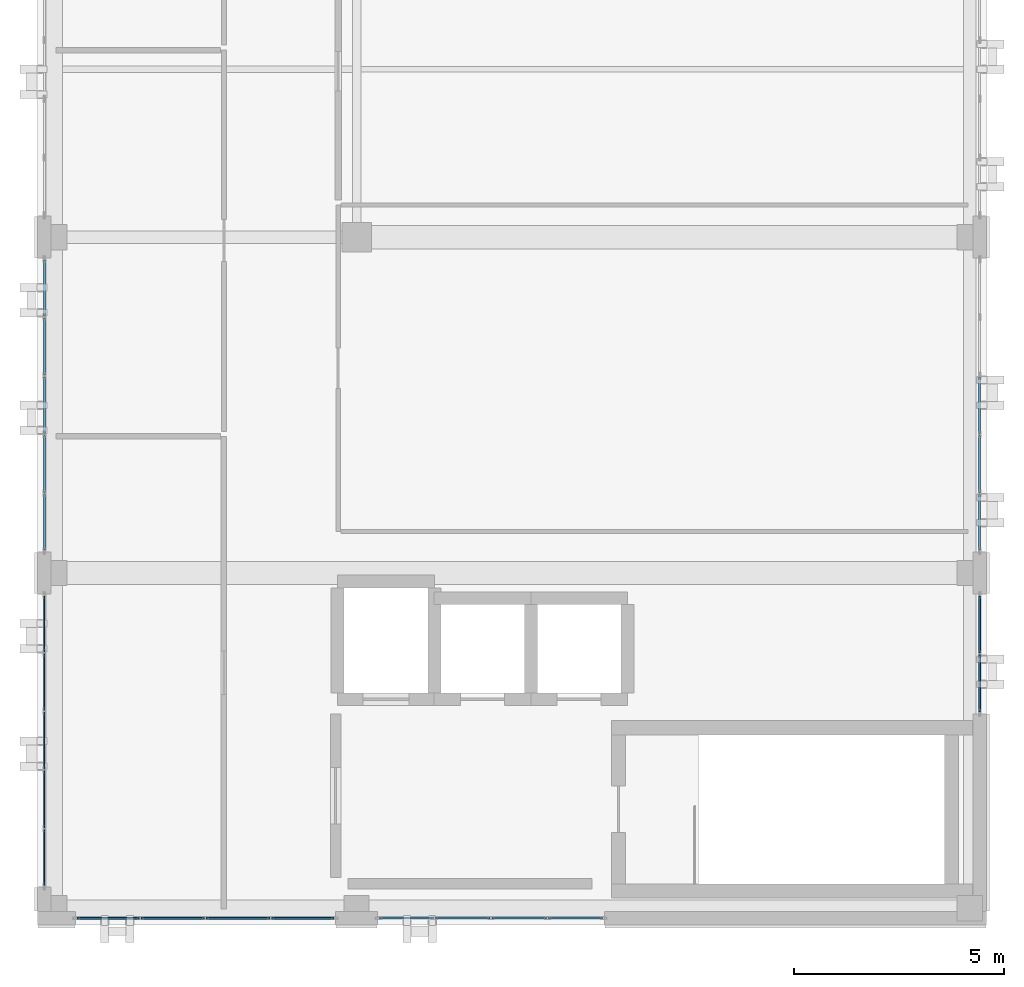
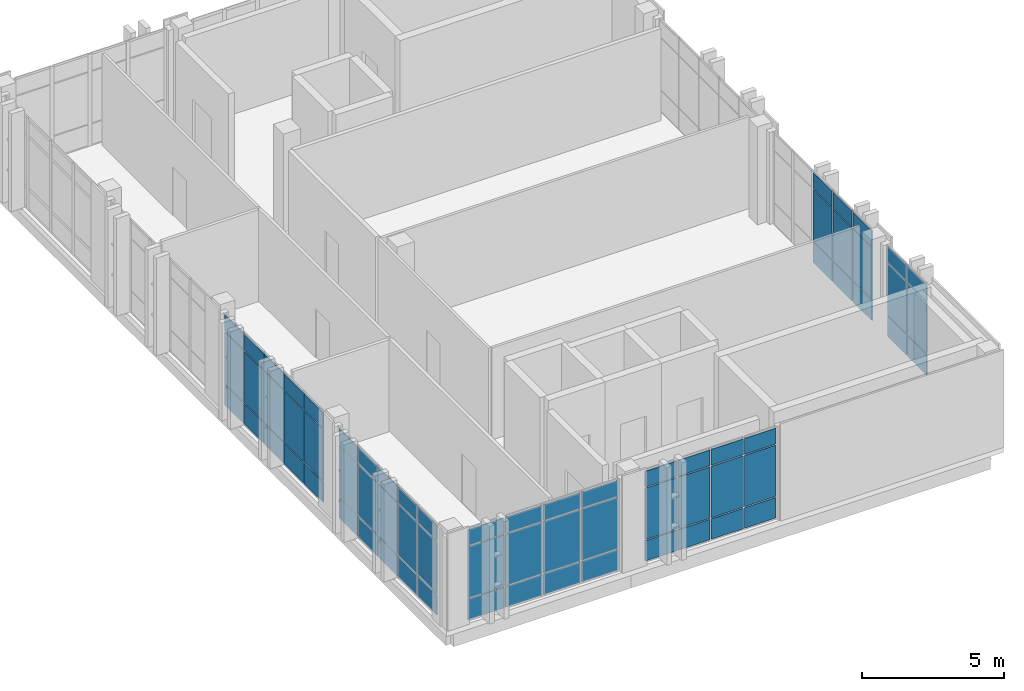
# One storey, part 15 of 19: 69 plates, 6 elements without a shape of their own.
"""IFC4 building model written with IfcOpenShell, lengths in metres."""

from ifc_helpers import new_model, si_unit, direction, frame, origin, origin_2d, place, context, subcontext, project, spatial, rectangle, extrude, material, layer, layer_set, type_object, element, aggregate, save


model = new_model("IFC4")

# Units and contexts
model_context = context("Model", 3, precision=1e-05, world=origin(), true_north=direction((0.0, 1.0)))
body_context = subcontext(model_context, "Body", "Model", "MODEL_VIEW")
ifc_project = project(units=[si_unit("LENGTHUNIT", "METRE"), si_unit("AREAUNIT", "SQUARE_METRE"), si_unit("VOLUMEUNIT", "CUBIC_METRE"), si_unit("PLANEANGLEUNIT", "RADIAN"), si_unit("MASSUNIT", "GRAM", prefix="KILO")], contexts=[model_context])

# Site, building, storey
site_placement = place(None, origin())
site = spatial("IfcSite", under=ifc_project, at=site_placement, CompositionType="ELEMENT")
building_placement = place(site_placement, origin())
building = spatial("IfcBuilding", under=site, at=building_placement, Name="Qalavern Law Courts", CompositionType="ELEMENT")
storey_placement = place(building_placement, frame((0.0, 0.0, 39.60009765625)))
storey = spatial("IfcBuildingStorey", under=building, at=storey_placement, Name="L09", CompositionType="ELEMENT", Elevation=39.60009765625)

# Curtain wall, plates
ifc_material_1 = material(Name="Anodised aluminium and insulated glazing", Category="aluminium")
ifc_layer_1 = layer(ifc_material_1, 0.159912109375)
ifc_layer_set_1 = layer_set([ifc_layer_1], Name="Anodised aluminium and insulated glazing")
curtain_wall_type = type_object("IfcCurtainWallType", Name="ENV-CW-CHAMB", PredefinedType="USERDEFINED", material=ifc_layer_set_1)
curtain_wall_1_placement = place(storey_placement, origin())
curtain_wall_1 = element("IfcCurtainWall", 1, at=curtain_wall_1_placement, inside=storey, type_object=curtain_wall_type, Name="V4 unitised curtain wall L09 west 4", ObjectType="UNITISED CURTAIN WALL", PredefinedType="USERDEFINED")
ifc_material_2 = material(Name="Insulated low-E acoustic glazing", Category="glass")
ifc_layer_2 = layer(ifc_material_2, 0.02392578125)
ifc_layer_set_2 = layer_set([ifc_layer_2], Name="Insulated low-E acoustic glazing")
plate_type_1 = type_object("IfcPlateType", Name="ENV-CWP-24", PredefinedType="CURTAIN_PANEL", material=ifc_layer_set_2)
plate_1_placement = place(storey_placement, frame((84.362548828125, 48.18994140625, 0.0478515625), z_axis=(0.0, 0.0, 1.0), x_axis=(0.0, -1.0, 0.0)))
plate_1 = element("IfcPlate", 2, at=plate_1_placement, type_object=plate_type_1, Name="CW-04 panel 1.1", PredefinedType="CURTAIN_PANEL", context=body_context, shape_type="SweptSolid", body=[
    extrude(rectangle(XDim=1.323974609375, YDim=0.02392578125, at=origin_2d()), origin(), (0.0, 0.0, 1.0), 0.8779296875),
])
plate_2_placement = place(storey_placement, frame((84.362548828125, 48.18994140625, 0.97412109375), z_axis=(0.0, 0.0, 1.0), x_axis=(0.0, -1.0, 0.0)))
plate_2 = element("IfcPlate", 3, at=plate_2_placement, type_object=plate_type_1, Name="CW-04 panel 1.2", PredefinedType="CURTAIN_PANEL", context=body_context, shape_type="SweptSolid", body=[
    extrude(rectangle(XDim=1.323974609375, YDim=0.02392578125, at=origin_2d()), origin(), (0.0, 0.0, 1.0), 2.201904296875),
])
plate_3_placement = place(storey_placement, frame((84.362548828125, 48.18994140625, 3.22412109375), z_axis=(0.0, 0.0, 1.0), x_axis=(0.0, -1.0, 0.0)))
plate_3 = element("IfcPlate", 4, at=plate_3_placement, type_object=plate_type_1, Name="CW-04 panel 1.3", PredefinedType="CURTAIN_PANEL", context=body_context, shape_type="SweptSolid", body=[
    extrude(rectangle(XDim=1.323974609375, YDim=0.02392578125, at=origin_2d()), origin(), (0.0, 0.0, 1.0), 0.677978515625),
])
plate_4_placement = place(storey_placement, frame((84.362548828125, 46.805908203125, 0.0478515625), z_axis=(0.0, 0.0, 1.0), x_axis=(0.0, -1.0, 0.0)))
plate_4 = element("IfcPlate", 5, at=plate_4_placement, type_object=plate_type_1, Name="CW-04 panel 2.1", PredefinedType="CURTAIN_PANEL", context=body_context, shape_type="SweptSolid", body=[
    extrude(rectangle(XDim=1.347900390625, YDim=0.02392578125, at=origin_2d()), origin(), (0.0, 0.0, 1.0), 0.8779296875),
])
plate_5_placement = place(storey_placement, frame((84.362548828125, 46.805908203125, 0.97412109375), z_axis=(0.0, 0.0, 1.0), x_axis=(0.0, -1.0, 0.0)))
plate_5 = element("IfcPlate", 6, at=plate_5_placement, type_object=plate_type_1, Name="CW-04 panel 2.2", PredefinedType="CURTAIN_PANEL", context=body_context, shape_type="SweptSolid", body=[
    extrude(rectangle(XDim=1.347900390625, YDim=0.02392578125, at=origin_2d()), origin(), (0.0, 0.0, 1.0), 2.201904296875),
])
plate_6_placement = place(storey_placement, frame((84.362548828125, 46.805908203125, 3.22412109375), z_axis=(0.0, 0.0, 1.0), x_axis=(0.0, -1.0, 0.0)))
plate_6 = element("IfcPlate", 7, at=plate_6_placement, type_object=plate_type_1, Name="CW-04 panel 2.3", PredefinedType="CURTAIN_PANEL", context=body_context, shape_type="SweptSolid", body=[
    extrude(rectangle(XDim=1.347900390625, YDim=0.02392578125, at=origin_2d()), origin(), (0.0, 0.0, 1.0), 0.677978515625),
])
plate_7_placement = place(storey_placement, frame((84.362548828125, 45.409912109375, 0.0478515625), z_axis=(0.0, 0.0, 1.0), x_axis=(0.0, -1.0, 0.0)))
plate_7 = element("IfcPlate", 8, at=plate_7_placement, type_object=plate_type_1, Name="CW-04 panel 3.1", PredefinedType="CURTAIN_PANEL", context=body_context, shape_type="SweptSolid", body=[
    extrude(rectangle(XDim=1.347900390625, YDim=0.02392578125, at=origin_2d()), origin(), (0.0, 0.0, 1.0), 0.8779296875),
])
plate_8_placement = place(storey_placement, frame((84.362548828125, 45.409912109375, 0.97412109375), z_axis=(0.0, 0.0, 1.0), x_axis=(0.0, -1.0, 0.0)))
plate_8 = element("IfcPlate", 9, at=plate_8_placement, type_object=plate_type_1, Name="CW-04 panel 3.2", PredefinedType="CURTAIN_PANEL", context=body_context, shape_type="SweptSolid", body=[
    extrude(rectangle(XDim=1.347900390625, YDim=0.02392578125, at=origin_2d()), origin(), (0.0, 0.0, 1.0), 2.201904296875),
])
plate_9_placement = place(storey_placement, frame((84.362548828125, 45.409912109375, 3.22412109375), z_axis=(0.0, 0.0, 1.0), x_axis=(0.0, -1.0, 0.0)))
plate_9 = element("IfcPlate", 10, at=plate_9_placement, type_object=plate_type_1, Name="CW-04 panel 3.3", PredefinedType="CURTAIN_PANEL", context=body_context, shape_type="SweptSolid", body=[
    extrude(rectangle(XDim=1.347900390625, YDim=0.02392578125, at=origin_2d()), origin(), (0.0, 0.0, 1.0), 0.677978515625),
])
plate_10_placement = place(storey_placement, frame((84.362548828125, 44.013916015625, 0.0478515625), z_axis=(0.0, 0.0, 1.0), x_axis=(0.0, -1.0, 0.0)))
plate_10 = element("IfcPlate", 11, at=plate_10_placement, type_object=plate_type_1, Name="CW-04 panel 4.1", PredefinedType="CURTAIN_PANEL", context=body_context, shape_type="SweptSolid", body=[
    extrude(rectangle(XDim=1.347900390625, YDim=0.02392578125, at=origin_2d()), origin(), (0.0, 0.0, 1.0), 0.8779296875),
])
plate_11_placement = place(storey_placement, frame((84.362548828125, 44.013916015625, 0.97412109375), z_axis=(0.0, 0.0, 1.0), x_axis=(0.0, -1.0, 0.0)))
plate_11 = element("IfcPlate", 12, at=plate_11_placement, type_object=plate_type_1, Name="CW-04 panel 4.2", PredefinedType="CURTAIN_PANEL", context=body_context, shape_type="SweptSolid", body=[
    extrude(rectangle(XDim=1.347900390625, YDim=0.02392578125, at=origin_2d()), origin(), (0.0, 0.0, 1.0), 2.201904296875),
])
plate_12_placement = place(storey_placement, frame((84.362548828125, 44.013916015625, 3.22412109375), z_axis=(0.0, 0.0, 1.0), x_axis=(0.0, -1.0, 0.0)))
plate_12 = element("IfcPlate", 13, at=plate_12_placement, type_object=plate_type_1, Name="CW-04 panel 4.3", PredefinedType="CURTAIN_PANEL", context=body_context, shape_type="SweptSolid", body=[
    extrude(rectangle(XDim=1.347900390625, YDim=0.02392578125, at=origin_2d()), origin(), (0.0, 0.0, 1.0), 0.677978515625),
])
plate_13_placement = place(storey_placement, frame((84.362548828125, 42.6298828125, 0.0478515625), z_axis=(0.0, 0.0, 1.0), x_axis=(0.0, -1.0, 0.0)))
plate_13 = element("IfcPlate", 14, at=plate_13_placement, type_object=plate_type_1, Name="CW-04 panel 5.1", PredefinedType="CURTAIN_PANEL", context=body_context, shape_type="SweptSolid", body=[
    extrude(rectangle(XDim=1.323974609375, YDim=0.02392578125, at=origin_2d()), origin(), (0.0, 0.0, 1.0), 0.8779296875),
])
plate_14_placement = place(storey_placement, frame((84.362548828125, 42.6298828125, 0.97412109375), z_axis=(0.0, 0.0, 1.0), x_axis=(0.0, -1.0, 0.0)))
plate_14 = element("IfcPlate", 15, at=plate_14_placement, type_object=plate_type_1, Name="CW-04 panel 5.2", PredefinedType="CURTAIN_PANEL", context=body_context, shape_type="SweptSolid", body=[
    extrude(rectangle(XDim=1.323974609375, YDim=0.02392578125, at=origin_2d()), origin(), (0.0, 0.0, 1.0), 2.201904296875),
])
plate_15_placement = place(storey_placement, frame((84.362548828125, 42.6298828125, 3.22412109375), z_axis=(0.0, 0.0, 1.0), x_axis=(0.0, -1.0, 0.0)))
plate_15 = element("IfcPlate", 16, at=plate_15_placement, type_object=plate_type_1, Name="CW-04 panel 5.3", PredefinedType="CURTAIN_PANEL", context=body_context, shape_type="SweptSolid", body=[
    extrude(rectangle(XDim=1.323974609375, YDim=0.02392578125, at=origin_2d()), origin(), (0.0, 0.0, 1.0), 0.677978515625),
])
aggregate(curtain_wall_1, [plate_1, plate_2, plate_3, plate_4, plate_5, plate_6, plate_7, plate_8, plate_9, plate_10, plate_11, plate_12, plate_13, plate_14, plate_15])

curtain_wall_2_placement = place(storey_placement, origin())
curtain_wall_2 = element("IfcCurtainWall", 17, at=curtain_wall_2_placement, inside=storey, type_object=curtain_wall_type, Name="V4 unitised curtain wall L09 south 1", ObjectType="UNITISED CURTAIN WALL", PredefinedType="USERDEFINED")
ifc_layer_3 = layer(ifc_material_2, 0.0439453125)
ifc_layer_set_3 = layer_set([ifc_layer_3], Name="Insulated low-E acoustic glazing")
plate_type_2 = type_object("IfcPlateType", Name="ENV-CWP-44", PredefinedType="CURTAIN_PANEL", material=ifc_layer_set_3)
plate_16_placement = place(storey_placement, frame((85.886962890625, 41.1826171875, 0.0478515625), z_axis=(0.0, 0.0, 1.0), x_axis=(1.0, 0.0, 0.0)))
plate_16 = element("IfcPlate", 18, at=plate_16_placement, type_object=plate_type_2, Name="CW-04 panel 1.1", PredefinedType="CURTAIN_PANEL", context=body_context, shape_type="SweptSolid", body=[
    extrude(rectangle(XDim=1.47802734375, YDim=0.0439453125, at=origin_2d()), origin(), (0.0, 0.0, 1.0), 0.8779296875),
])
plate_17_placement = place(storey_placement, frame((85.886962890625, 41.1826171875, 0.97412109375), z_axis=(0.0, 0.0, 1.0), x_axis=(1.0, 0.0, 0.0)))
plate_17 = element("IfcPlate", 19, at=plate_17_placement, type_object=plate_type_2, Name="CW-04 panel 1.2", PredefinedType="CURTAIN_PANEL", context=body_context, shape_type="SweptSolid", body=[
    extrude(rectangle(XDim=1.47802734375, YDim=0.0439453125, at=origin_2d()), origin(), (0.0, 0.0, 1.0), 2.201904296875),
])
plate_18_placement = place(storey_placement, frame((85.886962890625, 41.1826171875, 3.22412109375), z_axis=(0.0, 0.0, 1.0), x_axis=(1.0, 0.0, 0.0)))
plate_18 = element("IfcPlate", 20, at=plate_18_placement, type_object=plate_type_2, Name="CW-04 panel 1.3", PredefinedType="CURTAIN_PANEL", context=body_context, shape_type="SweptSolid", body=[
    extrude(rectangle(XDim=1.47802734375, YDim=0.0439453125, at=origin_2d()), origin(), (0.0, 0.0, 1.0), 0.677978515625),
])
plate_19_placement = place(storey_placement, frame((87.425048828125, 41.1826171875, 0.0478515625), z_axis=(0.0, 0.0, 1.0), x_axis=(1.0, 0.0, 0.0)))
plate_19 = element("IfcPlate", 21, at=plate_19_placement, type_object=plate_type_2, Name="CW-04 panel 2.1", PredefinedType="CURTAIN_PANEL", context=body_context, shape_type="SweptSolid", body=[
    extrude(rectangle(XDim=1.501953125, YDim=0.0439453125, at=origin_2d()), origin(), (0.0, 0.0, 1.0), 0.8779296875),
])
plate_20_placement = place(storey_placement, frame((87.425048828125, 41.1826171875, 0.97412109375), z_axis=(0.0, 0.0, 1.0), x_axis=(1.0, 0.0, 0.0)))
plate_20 = element("IfcPlate", 22, at=plate_20_placement, type_object=plate_type_2, Name="CW-04 panel 2.2", PredefinedType="CURTAIN_PANEL", context=body_context, shape_type="SweptSolid", body=[
    extrude(rectangle(XDim=1.501953125, YDim=0.0439453125, at=origin_2d()), origin(), (0.0, 0.0, 1.0), 2.201904296875),
])
plate_21_placement = place(storey_placement, frame((87.425048828125, 41.1826171875, 3.22412109375), z_axis=(0.0, 0.0, 1.0), x_axis=(1.0, 0.0, 0.0)))
plate_21 = element("IfcPlate", 23, at=plate_21_placement, type_object=plate_type_2, Name="CW-04 panel 2.3", PredefinedType="CURTAIN_PANEL", context=body_context, shape_type="SweptSolid", body=[
    extrude(rectangle(XDim=1.501953125, YDim=0.0439453125, at=origin_2d()), origin(), (0.0, 0.0, 1.0), 0.677978515625),
])
plate_22_placement = place(storey_placement, frame((88.97509765625, 41.1826171875, 0.0478515625), z_axis=(0.0, 0.0, 1.0), x_axis=(1.0, 0.0, 0.0)))
plate_22 = element("IfcPlate", 24, at=plate_22_placement, type_object=plate_type_2, Name="CW-04 panel 3.1", PredefinedType="CURTAIN_PANEL", context=body_context, shape_type="SweptSolid", body=[
    extrude(rectangle(XDim=1.501953125, YDim=0.0439453125, at=origin_2d()), origin(), (0.0, 0.0, 1.0), 0.8779296875),
])
plate_23_placement = place(storey_placement, frame((88.97509765625, 41.1826171875, 0.97412109375), z_axis=(0.0, 0.0, 1.0), x_axis=(1.0, 0.0, 0.0)))
plate_23 = element("IfcPlate", 25, at=plate_23_placement, type_object=plate_type_2, Name="CW-04 panel 3.2", PredefinedType="CURTAIN_PANEL", context=body_context, shape_type="SweptSolid", body=[
    extrude(rectangle(XDim=1.501953125, YDim=0.0439453125, at=origin_2d()), origin(), (0.0, 0.0, 1.0), 2.201904296875),
])
plate_24_placement = place(storey_placement, frame((88.97509765625, 41.1826171875, 3.22412109375), z_axis=(0.0, 0.0, 1.0), x_axis=(1.0, 0.0, 0.0)))
plate_24 = element("IfcPlate", 26, at=plate_24_placement, type_object=plate_type_2, Name="CW-04 panel 3.3", PredefinedType="CURTAIN_PANEL", context=body_context, shape_type="SweptSolid", body=[
    extrude(rectangle(XDim=1.501953125, YDim=0.0439453125, at=origin_2d()), origin(), (0.0, 0.0, 1.0), 0.677978515625),
])
plate_25_placement = place(storey_placement, frame((90.512939453125, 41.1826171875, 0.0478515625), z_axis=(0.0, 0.0, 1.0), x_axis=(1.0, 0.0, 0.0)))
plate_25 = element("IfcPlate", 27, at=plate_25_placement, type_object=plate_type_2, Name="CW-04 panel 4.1", PredefinedType="CURTAIN_PANEL", context=body_context, shape_type="SweptSolid", body=[
    extrude(rectangle(XDim=1.47802734375, YDim=0.0439453125, at=origin_2d()), origin(), (0.0, 0.0, 1.0), 0.8779296875),
])
plate_26_placement = place(storey_placement, frame((90.512939453125, 41.1826171875, 0.97412109375), z_axis=(0.0, 0.0, 1.0), x_axis=(1.0, 0.0, 0.0)))
plate_26 = element("IfcPlate", 28, at=plate_26_placement, type_object=plate_type_2, Name="CW-04 panel 4.2", PredefinedType="CURTAIN_PANEL", context=body_context, shape_type="SweptSolid", body=[
    extrude(rectangle(XDim=1.47802734375, YDim=0.0439453125, at=origin_2d()), origin(), (0.0, 0.0, 1.0), 2.201904296875),
])
plate_27_placement = place(storey_placement, frame((90.512939453125, 41.1826171875, 3.22412109375), z_axis=(0.0, 0.0, 1.0), x_axis=(1.0, 0.0, 0.0)))
plate_27 = element("IfcPlate", 29, at=plate_27_placement, type_object=plate_type_2, Name="CW-04 panel 4.3", PredefinedType="CURTAIN_PANEL", context=body_context, shape_type="SweptSolid", body=[
    extrude(rectangle(XDim=1.47802734375, YDim=0.0439453125, at=origin_2d()), origin(), (0.0, 0.0, 1.0), 0.677978515625),
])
aggregate(curtain_wall_2, [plate_16, plate_17, plate_18, plate_19, plate_20, plate_21, plate_22, plate_23, plate_24, plate_25, plate_26, plate_27])

curtain_wall_3_placement = place(storey_placement, origin())
curtain_wall_3 = element("IfcCurtainWall", 30, at=curtain_wall_3_placement, inside=storey, type_object=curtain_wall_type, Name="V4 unitised curtain wall L09 east 1", ObjectType="UNITISED CURTAIN WALL", PredefinedType="USERDEFINED")
plate_28_placement = place(storey_placement, frame((106.637451171875, 46.7744140625, 0.0478515625), z_axis=(0.0, 0.0, 1.0), x_axis=(0.0, 1.0, 0.0)))
plate_28 = element("IfcPlate", 31, at=plate_28_placement, type_object=plate_type_2, Name="CW-04 panel 1.1", PredefinedType="CURTAIN_PANEL", context=body_context, shape_type="SweptSolid", body=[
    extrude(rectangle(XDim=1.35302734375, YDim=0.0439453125, at=origin_2d()), origin(), (0.0, 0.0, 1.0), 0.8779296875),
])
plate_29_placement = place(storey_placement, frame((106.637451171875, 46.7744140625, 0.97412109375), z_axis=(0.0, 0.0, 1.0), x_axis=(0.0, 1.0, 0.0)))
plate_29 = element("IfcPlate", 32, at=plate_29_placement, type_object=plate_type_2, Name="CW-04 panel 1.2", PredefinedType="CURTAIN_PANEL", context=body_context, shape_type="SweptSolid", body=[
    extrude(rectangle(XDim=1.35302734375, YDim=0.0439453125, at=origin_2d()), origin(), (0.0, 0.0, 1.0), 2.201904296875),
])
plate_30_placement = place(storey_placement, frame((106.637451171875, 46.7744140625, 3.22412109375), z_axis=(0.0, 0.0, 1.0), x_axis=(0.0, 1.0, 0.0)))
plate_30 = element("IfcPlate", 33, at=plate_30_placement, type_object=plate_type_2, Name="CW-04 panel 1.3", PredefinedType="CURTAIN_PANEL", context=body_context, shape_type="SweptSolid", body=[
    extrude(rectangle(XDim=1.35302734375, YDim=0.0439453125, at=origin_2d()), origin(), (0.0, 0.0, 1.0), 0.677978515625),
])
plate_31_placement = place(storey_placement, frame((106.637451171875, 48.175537109375, 0.0478515625), z_axis=(0.0, 0.0, 1.0), x_axis=(0.0, 1.0, 0.0)))
plate_31 = element("IfcPlate", 34, at=plate_31_placement, type_object=plate_type_2, Name="CW-04 panel 2.1", PredefinedType="CURTAIN_PANEL", context=body_context, shape_type="SweptSolid", body=[
    extrude(rectangle(XDim=1.35302734375, YDim=0.0439453125, at=origin_2d()), origin(), (0.0, 0.0, 1.0), 0.8779296875),
])
plate_32_placement = place(storey_placement, frame((106.637451171875, 48.175537109375, 0.97412109375), z_axis=(0.0, 0.0, 1.0), x_axis=(0.0, 1.0, 0.0)))
plate_32 = element("IfcPlate", 35, at=plate_32_placement, type_object=plate_type_2, Name="CW-04 panel 2.2", PredefinedType="CURTAIN_PANEL", context=body_context, shape_type="SweptSolid", body=[
    extrude(rectangle(XDim=1.35302734375, YDim=0.0439453125, at=origin_2d()), origin(), (0.0, 0.0, 1.0), 2.201904296875),
])
plate_33_placement = place(storey_placement, frame((106.637451171875, 48.175537109375, 3.22412109375), z_axis=(0.0, 0.0, 1.0), x_axis=(0.0, 1.0, 0.0)))
plate_33 = element("IfcPlate", 36, at=plate_33_placement, type_object=plate_type_2, Name="CW-04 panel 2.3", PredefinedType="CURTAIN_PANEL", context=body_context, shape_type="SweptSolid", body=[
    extrude(rectangle(XDim=1.35302734375, YDim=0.0439453125, at=origin_2d()), origin(), (0.0, 0.0, 1.0), 0.677978515625),
])
aggregate(curtain_wall_3, [plate_28, plate_29, plate_30, plate_31, plate_32, plate_33])

curtain_wall_4_placement = place(storey_placement, origin())
curtain_wall_4 = element("IfcCurtainWall", 37, at=curtain_wall_4_placement, inside=storey, type_object=curtain_wall_type, Name="V4 unitised curtain wall L09 south 2", ObjectType="UNITISED CURTAIN WALL", PredefinedType="USERDEFINED")
ifc_layer_4 = layer(ifc_material_2, 0.048095703125)
ifc_layer_set_4 = layer_set([ifc_layer_4], Name="Insulated low-E acoustic glazing")
plate_type_3 = type_object("IfcPlateType", Name="ENV-CWP-48", PredefinedType="CURTAIN_PANEL", material=ifc_layer_set_4)
plate_34_placement = place(storey_placement, frame((92.987060546875, 41.1826171875, 0.0478515625), z_axis=(0.0, 0.0, 1.0), x_axis=(1.0, 0.0, 0.0)))
plate_34 = element("IfcPlate", 38, at=plate_34_placement, type_object=plate_type_3, Name="CW-04 panel 1.1", PredefinedType="CURTAIN_PANEL", context=body_context, shape_type="SweptSolid", body=[
    extrude(rectangle(XDim=1.278076171875, YDim=0.048095703125, at=origin_2d()), origin(), (0.0, 0.0, 1.0), 0.8779296875),
])
plate_35_placement = place(storey_placement, frame((92.987060546875, 41.1826171875, 0.97412109375), z_axis=(0.0, 0.0, 1.0), x_axis=(1.0, 0.0, 0.0)))
plate_35 = element("IfcPlate", 39, at=plate_35_placement, type_object=plate_type_3, Name="CW-04 panel 1.2", PredefinedType="CURTAIN_PANEL", context=body_context, shape_type="SweptSolid", body=[
    extrude(rectangle(XDim=1.278076171875, YDim=0.048095703125, at=origin_2d()), origin(), (0.0, 0.0, 1.0), 2.201904296875),
])
plate_36_placement = place(storey_placement, frame((92.987060546875, 41.1826171875, 3.22412109375), z_axis=(0.0, 0.0, 1.0), x_axis=(1.0, 0.0, 0.0)))
plate_36 = element("IfcPlate", 40, at=plate_36_placement, type_object=plate_type_3, Name="CW-04 panel 1.3", PredefinedType="CURTAIN_PANEL", context=body_context, shape_type="SweptSolid", body=[
    extrude(rectangle(XDim=1.278076171875, YDim=0.048095703125, at=origin_2d()), origin(), (0.0, 0.0, 1.0), 0.677978515625),
])
plate_37_placement = place(storey_placement, frame((94.324951171875, 41.1826171875, 0.0478515625), z_axis=(0.0, 0.0, 1.0), x_axis=(1.0, 0.0, 0.0)))
plate_37 = element("IfcPlate", 41, at=plate_37_placement, type_object=plate_type_3, Name="CW-04 panel 2.1", PredefinedType="CURTAIN_PANEL", context=body_context, shape_type="SweptSolid", body=[
    extrude(rectangle(XDim=1.302001953125, YDim=0.048095703125, at=origin_2d()), origin(), (0.0, 0.0, 1.0), 0.8779296875),
])
plate_38_placement = place(storey_placement, frame((94.324951171875, 41.1826171875, 0.97412109375), z_axis=(0.0, 0.0, 1.0), x_axis=(1.0, 0.0, 0.0)))
plate_38 = element("IfcPlate", 42, at=plate_38_placement, type_object=plate_type_3, Name="CW-04 panel 2.2", PredefinedType="CURTAIN_PANEL", context=body_context, shape_type="SweptSolid", body=[
    extrude(rectangle(XDim=1.302001953125, YDim=0.048095703125, at=origin_2d()), origin(), (0.0, 0.0, 1.0), 2.201904296875),
])
plate_39_placement = place(storey_placement, frame((94.324951171875, 41.1826171875, 3.22412109375), z_axis=(0.0, 0.0, 1.0), x_axis=(1.0, 0.0, 0.0)))
plate_39 = element("IfcPlate", 43, at=plate_39_placement, type_object=plate_type_3, Name="CW-04 panel 2.3", PredefinedType="CURTAIN_PANEL", context=body_context, shape_type="SweptSolid", body=[
    extrude(rectangle(XDim=1.302001953125, YDim=0.048095703125, at=origin_2d()), origin(), (0.0, 0.0, 1.0), 0.677978515625),
])
plate_40_placement = place(storey_placement, frame((95.675048828125, 41.1826171875, 0.0478515625), z_axis=(0.0, 0.0, 1.0), x_axis=(1.0, 0.0, 0.0)))
plate_40 = element("IfcPlate", 44, at=plate_40_placement, type_object=plate_type_3, Name="CW-04 panel 3.1", PredefinedType="CURTAIN_PANEL", context=body_context, shape_type="SweptSolid", body=[
    extrude(rectangle(XDim=1.302001953125, YDim=0.048095703125, at=origin_2d()), origin(), (0.0, 0.0, 1.0), 0.8779296875),
])
plate_41_placement = place(storey_placement, frame((95.675048828125, 41.1826171875, 0.97412109375), z_axis=(0.0, 0.0, 1.0), x_axis=(1.0, 0.0, 0.0)))
plate_41 = element("IfcPlate", 45, at=plate_41_placement, type_object=plate_type_3, Name="CW-04 panel 3.2", PredefinedType="CURTAIN_PANEL", context=body_context, shape_type="SweptSolid", body=[
    extrude(rectangle(XDim=1.302001953125, YDim=0.048095703125, at=origin_2d()), origin(), (0.0, 0.0, 1.0), 2.201904296875),
])
plate_42_placement = place(storey_placement, frame((95.675048828125, 41.1826171875, 3.22412109375), z_axis=(0.0, 0.0, 1.0), x_axis=(1.0, 0.0, 0.0)))
plate_42 = element("IfcPlate", 46, at=plate_42_placement, type_object=plate_type_3, Name="CW-04 panel 3.3", PredefinedType="CURTAIN_PANEL", context=body_context, shape_type="SweptSolid", body=[
    extrude(rectangle(XDim=1.302001953125, YDim=0.048095703125, at=origin_2d()), origin(), (0.0, 0.0, 1.0), 0.677978515625),
])
plate_43_placement = place(storey_placement, frame((97.012939453125, 41.1826171875, 0.0478515625), z_axis=(0.0, 0.0, 1.0), x_axis=(1.0, 0.0, 0.0)))
plate_43 = element("IfcPlate", 47, at=plate_43_placement, type_object=plate_type_3, Name="CW-04 panel 4.1", PredefinedType="CURTAIN_PANEL", context=body_context, shape_type="SweptSolid", body=[
    extrude(rectangle(XDim=1.278076171875, YDim=0.048095703125, at=origin_2d()), origin(), (0.0, 0.0, 1.0), 0.8779296875),
])
plate_44_placement = place(storey_placement, frame((97.012939453125, 41.1826171875, 0.97412109375), z_axis=(0.0, 0.0, 1.0), x_axis=(1.0, 0.0, 0.0)))
plate_44 = element("IfcPlate", 48, at=plate_44_placement, type_object=plate_type_3, Name="CW-04 panel 4.2", PredefinedType="CURTAIN_PANEL", context=body_context, shape_type="SweptSolid", body=[
    extrude(rectangle(XDim=1.278076171875, YDim=0.048095703125, at=origin_2d()), origin(), (0.0, 0.0, 1.0), 2.201904296875),
])
plate_45_placement = place(storey_placement, frame((97.012939453125, 41.1826171875, 3.22412109375), z_axis=(0.0, 0.0, 1.0), x_axis=(1.0, 0.0, 0.0)))
plate_45 = element("IfcPlate", 49, at=plate_45_placement, type_object=plate_type_3, Name="CW-04 panel 4.3", PredefinedType="CURTAIN_PANEL", context=body_context, shape_type="SweptSolid", body=[
    extrude(rectangle(XDim=1.278076171875, YDim=0.048095703125, at=origin_2d()), origin(), (0.0, 0.0, 1.0), 0.677978515625),
])
aggregate(curtain_wall_4, [plate_34, plate_35, plate_36, plate_37, plate_38, plate_39, plate_40, plate_41, plate_42, plate_43, plate_44, plate_45])

curtain_wall_5_placement = place(storey_placement, origin())
curtain_wall_5 = element("IfcCurtainWall", 50, at=curtain_wall_5_placement, inside=storey, type_object=curtain_wall_type, Name="V4 unitised curtain wall L09 east 2", ObjectType="UNITISED CURTAIN WALL", PredefinedType="USERDEFINED")
plate_46_placement = place(storey_placement, frame((106.637451171875, 50.612060546875, 0.0478515625), z_axis=(0.0, 0.0, 1.0), x_axis=(0.0, 1.0, 0.0)))
plate_46 = element("IfcPlate", 51, at=plate_46_placement, type_object=plate_type_3, Name="CW-04 panel 1.1", PredefinedType="CURTAIN_PANEL", context=body_context, shape_type="SweptSolid", body=[
    extrude(rectangle(XDim=1.327880859375, YDim=0.048095703125, at=origin_2d()), origin(), (0.0, 0.0, 1.0), 0.8779296875),
])
plate_47_placement = place(storey_placement, frame((106.637451171875, 50.612060546875, 0.97412109375), z_axis=(0.0, 0.0, 1.0), x_axis=(0.0, 1.0, 0.0)))
plate_47 = element("IfcPlate", 52, at=plate_47_placement, type_object=plate_type_3, Name="CW-04 panel 1.2", PredefinedType="CURTAIN_PANEL", context=body_context, shape_type="SweptSolid", body=[
    extrude(rectangle(XDim=1.327880859375, YDim=0.048095703125, at=origin_2d()), origin(), (0.0, 0.0, 1.0), 2.201904296875),
])
plate_48_placement = place(storey_placement, frame((106.637451171875, 50.612060546875, 3.22412109375), z_axis=(0.0, 0.0, 1.0), x_axis=(0.0, 1.0, 0.0)))
plate_48 = element("IfcPlate", 53, at=plate_48_placement, type_object=plate_type_3, Name="CW-04 panel 1.3", PredefinedType="CURTAIN_PANEL", context=body_context, shape_type="SweptSolid", body=[
    extrude(rectangle(XDim=1.327880859375, YDim=0.048095703125, at=origin_2d()), origin(), (0.0, 0.0, 1.0), 0.677978515625),
])
plate_49_placement = place(storey_placement, frame((106.637451171875, 52.0, 0.0478515625), z_axis=(0.0, 0.0, 1.0), x_axis=(0.0, 1.0, 0.0)))
plate_49 = element("IfcPlate", 54, at=plate_49_placement, type_object=plate_type_3, Name="CW-04 panel 2.1", PredefinedType="CURTAIN_PANEL", context=body_context, shape_type="SweptSolid", body=[
    extrude(rectangle(XDim=1.35205078125, YDim=0.048095703125, at=origin_2d()), origin(), (0.0, 0.0, 1.0), 0.8779296875),
])
plate_50_placement = place(storey_placement, frame((106.637451171875, 52.0, 0.97412109375), z_axis=(0.0, 0.0, 1.0), x_axis=(0.0, 1.0, 0.0)))
plate_50 = element("IfcPlate", 55, at=plate_50_placement, type_object=plate_type_3, Name="CW-04 panel 2.2", PredefinedType="CURTAIN_PANEL", context=body_context, shape_type="SweptSolid", body=[
    extrude(rectangle(XDim=1.35205078125, YDim=0.048095703125, at=origin_2d()), origin(), (0.0, 0.0, 1.0), 2.201904296875),
])
plate_51_placement = place(storey_placement, frame((106.637451171875, 52.0, 3.22412109375), z_axis=(0.0, 0.0, 1.0), x_axis=(0.0, 1.0, 0.0)))
plate_51 = element("IfcPlate", 56, at=plate_51_placement, type_object=plate_type_3, Name="CW-04 panel 2.3", PredefinedType="CURTAIN_PANEL", context=body_context, shape_type="SweptSolid", body=[
    extrude(rectangle(XDim=1.35205078125, YDim=0.048095703125, at=origin_2d()), origin(), (0.0, 0.0, 1.0), 0.677978515625),
])
plate_52_placement = place(storey_placement, frame((106.637451171875, 53.39990234375, 0.0478515625), z_axis=(0.0, 0.0, 1.0), x_axis=(0.0, 1.0, 0.0)))
plate_52 = element("IfcPlate", 57, at=plate_52_placement, type_object=plate_type_3, Name="CW-04 panel 3.1", PredefinedType="CURTAIN_PANEL", context=body_context, shape_type="SweptSolid", body=[
    extrude(rectangle(XDim=1.35205078125, YDim=0.048095703125, at=origin_2d()), origin(), (0.0, 0.0, 1.0), 0.8779296875),
])
plate_53_placement = place(storey_placement, frame((106.637451171875, 53.39990234375, 0.97412109375), z_axis=(0.0, 0.0, 1.0), x_axis=(0.0, 1.0, 0.0)))
plate_53 = element("IfcPlate", 58, at=plate_53_placement, type_object=plate_type_3, Name="CW-04 panel 3.2", PredefinedType="CURTAIN_PANEL", context=body_context, shape_type="SweptSolid", body=[
    extrude(rectangle(XDim=1.35205078125, YDim=0.048095703125, at=origin_2d()), origin(), (0.0, 0.0, 1.0), 2.201904296875),
])
plate_54_placement = place(storey_placement, frame((106.637451171875, 53.39990234375, 3.22412109375), z_axis=(0.0, 0.0, 1.0), x_axis=(0.0, 1.0, 0.0)))
plate_54 = element("IfcPlate", 59, at=plate_54_placement, type_object=plate_type_3, Name="CW-04 panel 3.3", PredefinedType="CURTAIN_PANEL", context=body_context, shape_type="SweptSolid", body=[
    extrude(rectangle(XDim=1.35205078125, YDim=0.048095703125, at=origin_2d()), origin(), (0.0, 0.0, 1.0), 0.677978515625),
])
aggregate(curtain_wall_5, [plate_46, plate_47, plate_48, plate_49, plate_50, plate_51, plate_52, plate_53, plate_54])

curtain_wall_6_placement = place(storey_placement, origin())
curtain_wall_6 = element("IfcCurtainWall", 60, at=curtain_wall_6_placement, inside=storey, type_object=curtain_wall_type, Name="V4 unitised curtain wall L09 west 3", ObjectType="UNITISED CURTAIN WALL", PredefinedType="USERDEFINED")
ifc_layer_5 = layer(ifc_material_2, 0.052001953125)
ifc_layer_set_5 = layer_set([ifc_layer_5], Name="Insulated low-E acoustic glazing")
plate_type_4 = type_object("IfcPlateType", Name="ENV-CWP-52", PredefinedType="CURTAIN_PANEL", material=ifc_layer_set_5)
plate_55_placement = place(storey_placement, frame((84.362548828125, 56.18798828125, 0.0478515625), z_axis=(0.0, 0.0, 1.0), x_axis=(0.0, -1.0, 0.0)))
plate_55 = element("IfcPlate", 61, at=plate_55_placement, type_object=plate_type_4, Name="CW-04 panel 1.1", PredefinedType="CURTAIN_PANEL", context=body_context, shape_type="SweptSolid", body=[
    extrude(rectangle(XDim=1.327880859375, YDim=0.052001953125, at=origin_2d()), origin(), (0.0, 0.0, 1.0), 0.8779296875),
])
plate_56_placement = place(storey_placement, frame((84.362548828125, 56.18798828125, 0.97412109375), z_axis=(0.0, 0.0, 1.0), x_axis=(0.0, -1.0, 0.0)))
plate_56 = element("IfcPlate", 62, at=plate_56_placement, type_object=plate_type_4, Name="CW-04 panel 1.2", PredefinedType="CURTAIN_PANEL", context=body_context, shape_type="SweptSolid", body=[
    extrude(rectangle(XDim=1.327880859375, YDim=0.052001953125, at=origin_2d()), origin(), (0.0, 0.0, 1.0), 2.201904296875),
])
plate_57_placement = place(storey_placement, frame((84.362548828125, 56.18798828125, 3.22412109375), z_axis=(0.0, 0.0, 1.0), x_axis=(0.0, -1.0, 0.0)))
plate_57 = element("IfcPlate", 63, at=plate_57_placement, type_object=plate_type_4, Name="CW-04 panel 1.3", PredefinedType="CURTAIN_PANEL", context=body_context, shape_type="SweptSolid", body=[
    extrude(rectangle(XDim=1.327880859375, YDim=0.052001953125, at=origin_2d()), origin(), (0.0, 0.0, 1.0), 0.677978515625),
])
plate_58_placement = place(storey_placement, frame((84.362548828125, 54.800048828125, 0.0478515625), z_axis=(0.0, 0.0, 1.0), x_axis=(0.0, -1.0, 0.0)))
plate_58 = element("IfcPlate", 64, at=plate_58_placement, type_object=plate_type_4, Name="CW-04 panel 2.1", PredefinedType="CURTAIN_PANEL", context=body_context, shape_type="SweptSolid", body=[
    extrude(rectangle(XDim=1.35205078125, YDim=0.052001953125, at=origin_2d()), origin(), (0.0, 0.0, 1.0), 0.8779296875),
])
plate_59_placement = place(storey_placement, frame((84.362548828125, 54.800048828125, 0.97412109375), z_axis=(0.0, 0.0, 1.0), x_axis=(0.0, -1.0, 0.0)))
plate_59 = element("IfcPlate", 65, at=plate_59_placement, type_object=plate_type_4, Name="CW-04 panel 2.2", PredefinedType="CURTAIN_PANEL", context=body_context, shape_type="SweptSolid", body=[
    extrude(rectangle(XDim=1.35205078125, YDim=0.052001953125, at=origin_2d()), origin(), (0.0, 0.0, 1.0), 2.201904296875),
])
plate_60_placement = place(storey_placement, frame((84.362548828125, 54.800048828125, 3.22412109375), z_axis=(0.0, 0.0, 1.0), x_axis=(0.0, -1.0, 0.0)))
plate_60 = element("IfcPlate", 66, at=plate_60_placement, type_object=plate_type_4, Name="CW-04 panel 2.3", PredefinedType="CURTAIN_PANEL", context=body_context, shape_type="SweptSolid", body=[
    extrude(rectangle(XDim=1.35205078125, YDim=0.052001953125, at=origin_2d()), origin(), (0.0, 0.0, 1.0), 0.677978515625),
])
plate_61_placement = place(storey_placement, frame((84.362548828125, 53.39990234375, 0.0478515625), z_axis=(0.0, 0.0, 1.0), x_axis=(0.0, -1.0, 0.0)))
plate_61 = element("IfcPlate", 67, at=plate_61_placement, type_object=plate_type_4, Name="CW-04 panel 3.1", PredefinedType="CURTAIN_PANEL", context=body_context, shape_type="SweptSolid", body=[
    extrude(rectangle(XDim=1.35205078125, YDim=0.052001953125, at=origin_2d()), origin(), (0.0, 0.0, 1.0), 0.8779296875),
])
plate_62_placement = place(storey_placement, frame((84.362548828125, 53.39990234375, 0.97412109375), z_axis=(0.0, 0.0, 1.0), x_axis=(0.0, -1.0, 0.0)))
plate_62 = element("IfcPlate", 68, at=plate_62_placement, type_object=plate_type_4, Name="CW-04 panel 3.2", PredefinedType="CURTAIN_PANEL", context=body_context, shape_type="SweptSolid", body=[
    extrude(rectangle(XDim=1.35205078125, YDim=0.052001953125, at=origin_2d()), origin(), (0.0, 0.0, 1.0), 2.201904296875),
])
plate_63_placement = place(storey_placement, frame((84.362548828125, 53.39990234375, 3.22412109375), z_axis=(0.0, 0.0, 1.0), x_axis=(0.0, -1.0, 0.0)))
plate_63 = element("IfcPlate", 69, at=plate_63_placement, type_object=plate_type_4, Name="CW-04 panel 3.3", PredefinedType="CURTAIN_PANEL", context=body_context, shape_type="SweptSolid", body=[
    extrude(rectangle(XDim=1.35205078125, YDim=0.052001953125, at=origin_2d()), origin(), (0.0, 0.0, 1.0), 0.677978515625),
])
plate_64_placement = place(storey_placement, frame((84.362548828125, 52.0, 0.0478515625), z_axis=(0.0, 0.0, 1.0), x_axis=(0.0, -1.0, 0.0)))
plate_64 = element("IfcPlate", 70, at=plate_64_placement, type_object=plate_type_4, Name="CW-04 panel 4.1", PredefinedType="CURTAIN_PANEL", context=body_context, shape_type="SweptSolid", body=[
    extrude(rectangle(XDim=1.35205078125, YDim=0.052001953125, at=origin_2d()), origin(), (0.0, 0.0, 1.0), 0.8779296875),
])
plate_65_placement = place(storey_placement, frame((84.362548828125, 52.0, 0.97412109375), z_axis=(0.0, 0.0, 1.0), x_axis=(0.0, -1.0, 0.0)))
plate_65 = element("IfcPlate", 71, at=plate_65_placement, type_object=plate_type_4, Name="CW-04 panel 4.2", PredefinedType="CURTAIN_PANEL", context=body_context, shape_type="SweptSolid", body=[
    extrude(rectangle(XDim=1.35205078125, YDim=0.052001953125, at=origin_2d()), origin(), (0.0, 0.0, 1.0), 2.201904296875),
])
plate_66_placement = place(storey_placement, frame((84.362548828125, 52.0, 3.22412109375), z_axis=(0.0, 0.0, 1.0), x_axis=(0.0, -1.0, 0.0)))
plate_66 = element("IfcPlate", 72, at=plate_66_placement, type_object=plate_type_4, Name="CW-04 panel 4.3", PredefinedType="CURTAIN_PANEL", context=body_context, shape_type="SweptSolid", body=[
    extrude(rectangle(XDim=1.35205078125, YDim=0.052001953125, at=origin_2d()), origin(), (0.0, 0.0, 1.0), 0.677978515625),
])
plate_67_placement = place(storey_placement, frame((84.362548828125, 50.612060546875, 0.0478515625), z_axis=(0.0, 0.0, 1.0), x_axis=(0.0, -1.0, 0.0)))
plate_67 = element("IfcPlate", 73, at=plate_67_placement, type_object=plate_type_4, Name="CW-04 panel 5.1", PredefinedType="CURTAIN_PANEL", context=body_context, shape_type="SweptSolid", body=[
    extrude(rectangle(XDim=1.327880859375, YDim=0.052001953125, at=origin_2d()), origin(), (0.0, 0.0, 1.0), 0.8779296875),
])
plate_68_placement = place(storey_placement, frame((84.362548828125, 50.612060546875, 0.97412109375), z_axis=(0.0, 0.0, 1.0), x_axis=(0.0, -1.0, 0.0)))
plate_68 = element("IfcPlate", 74, at=plate_68_placement, type_object=plate_type_4, Name="CW-04 panel 5.2", PredefinedType="CURTAIN_PANEL", context=body_context, shape_type="SweptSolid", body=[
    extrude(rectangle(XDim=1.327880859375, YDim=0.052001953125, at=origin_2d()), origin(), (0.0, 0.0, 1.0), 2.201904296875),
])
plate_69_placement = place(storey_placement, frame((84.362548828125, 50.612060546875, 3.22412109375), z_axis=(0.0, 0.0, 1.0), x_axis=(0.0, -1.0, 0.0)))
plate_69 = element("IfcPlate", 75, at=plate_69_placement, type_object=plate_type_4, Name="CW-04 panel 5.3", PredefinedType="CURTAIN_PANEL", context=body_context, shape_type="SweptSolid", body=[
    extrude(rectangle(XDim=1.327880859375, YDim=0.052001953125, at=origin_2d()), origin(), (0.0, 0.0, 1.0), 0.677978515625),
])
aggregate(curtain_wall_6, [plate_55, plate_56, plate_57, plate_58, plate_59, plate_60, plate_61, plate_62, plate_63, plate_64, plate_65, plate_66, plate_67, plate_68, plate_69])

save(model, "model.ifc")
